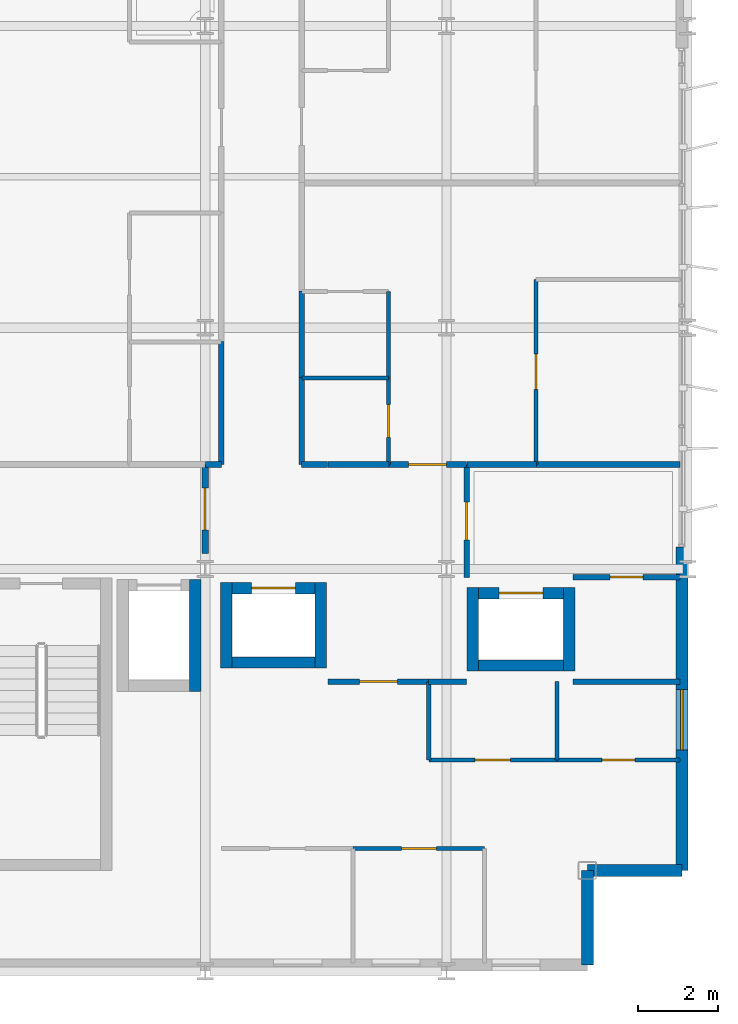
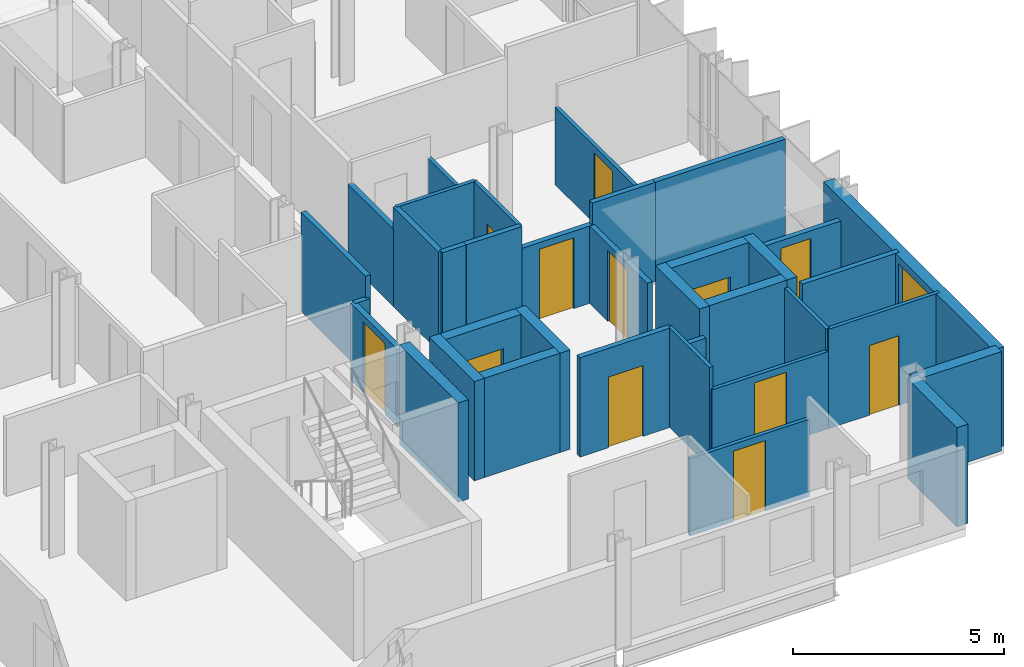
# One storey, part 31 of 39: 36 walls, 12 doors, 1 window, 13 openings.
"""IFC4 building model written with IfcOpenShell, lengths in metres."""

from ifc_helpers import new_model, si_unit, direction, frame, frame_2d, origin, place, context, subcontext, project, spatial, rectangle, extrude, material, layer, layer_set, type_object, element, fill, save


model = new_model("IFC4")

# Units and contexts
model_context = context("Model", 3, precision=1e-05, world=origin(), true_north=direction((0.0, 1.0)))
body_context = subcontext(model_context, "Body", "Model", "MODEL_VIEW")
ifc_project = project(units=[si_unit("LENGTHUNIT", "METRE"), si_unit("AREAUNIT", "SQUARE_METRE"), si_unit("VOLUMEUNIT", "CUBIC_METRE"), si_unit("PLANEANGLEUNIT", "RADIAN"), si_unit("MASSUNIT", "GRAM", prefix="KILO")], contexts=[model_context])

# Site, building, storey
site_placement = place(None, origin())
site = spatial("IfcSite", under=ifc_project, at=site_placement, CompositionType="ELEMENT")
building_placement = place(site_placement, origin())
building = spatial("IfcBuilding", under=site, at=building_placement, Name="Brevholm Reach", CompositionType="ELEMENT")
storey_placement = place(building_placement, frame((0.0, 0.0, 109.699951171875)))
storey = spatial("IfcBuildingStorey", under=building, at=storey_placement, Name="L32", CompositionType="ELEMENT", Elevation=109.699951171875)

# Walls
ifc_material_1 = material(Name="Concrete C50/60", Category="concrete")
ifc_layer_1 = layer(ifc_material_1, 0.280029296875)
ifc_layer_set_1 = layer_set([ifc_layer_1], Name="Concrete C50/60")
wall_type_1 = type_object("IfcWallType", Name="WAL-COR-280", PredefinedType="SHEAR", material=ifc_layer_set_1)
wall_1_placement = place(storey_placement, frame((47.75, 6.9599609375, 0.0), z_axis=(0.0, 0.0, 1.0), x_axis=(0.0, 1.0, 0.0)))
element("IfcWall", 1, at=wall_1_placement, inside=storey, type_object=wall_type_1, Name="L32 Lift FFL-2 Shaft Wall E", PredefinedType="SHEAR", context=body_context, shape_type="SweptSolid", body=[
    extrude(rectangle(XDim=2.780029296875, YDim=0.280029296875, at=frame_2d((1.39013671875, 0.0))), origin(), (0.0, 0.0, 1.0), 2.880126953125),
])
for number, where, z_axis, x_axis, name in (
    (2, (48.52490234375, 7.534912109375, 0.0), (0.0, 0.0, 1.0), (0.0, 1.0, 0.0), "L32 Lift PL-L1 Shaft Wall W"),
    (3, (50.875, 7.534912109375, 0.0), (0.0, 0.0, 1.0), (0.0, 1.0, 0.0), "L32 Lift PL-L1 Shaft Wall E"),
):
    element("IfcWall", number, at=place(storey_placement, frame(where, z_axis=z_axis, x_axis=x_axis)), inside=storey, type_object=wall_type_1, Name=name, PredefinedType="SHEAR", context=body_context, shape_type="SweptSolid", body=[
        extrude(rectangle(XDim=2.130126953125, YDim=0.280029296875, at=frame_2d((1.06494140625, 0.0))), origin(), (0.0, 0.0, 1.0), 2.880126953125),
    ])
wall_2_placement = place(storey_placement, frame((48.6650390625, 7.675048828125, 0.0), z_axis=(0.0, 0.0, 1.0), x_axis=(1.0, 0.0, 0.0)))
element("IfcWall", 4, at=wall_2_placement, inside=storey, type_object=wall_type_1, Name="L32 Lift PL-L1 Shaft Wall S", PredefinedType="SHEAR", context=body_context, shape_type="SweptSolid", body=[
    extrude(rectangle(XDim=2.070068359375, YDim=0.280029296875, at=frame_2d((1.03515625, 0.0))), origin(), (0.0, 0.0, 1.0), 2.880126953125),
])

# Wall, opening, door
wall_3_placement = place(storey_placement, frame((48.6650390625, 9.52490234375, 0.0), z_axis=(0.0, 0.0, 1.0), x_axis=(1.0, 0.0, 0.0)))
wall_3 = element("IfcWall", 5, at=wall_3_placement, inside=storey, type_object=wall_type_1, Name="L32 Lift PL-L1 Shaft Wall N", PredefinedType="SHEAR", context=body_context, shape_type="SweptSolid", body=[
    extrude(rectangle(XDim=2.070068359375, YDim=0.280029296875, at=frame_2d((1.03515625, 0.0))), origin(), (0.0, 0.0, 1.0), 2.880126953125),
])
opening_1_placement = place(wall_3_placement, frame((0.485107421875, 0.0, 0.0)))
opening_1 = element("IfcOpeningElement", 6, at=opening_1_placement, cuts=wall_3, Name="Opening LD-PL-L1", PredefinedType="OPENING", context=body_context, shape_type="SweptSolid", body=[
    extrude(rectangle(XDim=1.10009765625, YDim=2.06005859375, at=frame_2d((0.550048828125, 1.030029296875))), frame((0.0, 0.14990234375, 0.0), z_axis=(0.0, -1.0, 0.0), x_axis=(1.0, 0.0, 0.0)), (0.0, 0.0, 1.0), 0.300048828125),
])
ifc_material_2 = material(Name="Brushed Stainless Steel Fire-Rated Sliding Lift Door", Category="steel")
door_type_1 = type_object("IfcDoorType", Name="DOR-LFT-1100", OperationType="NOTDEFINED", PredefinedType="DOOR", material=ifc_material_2)
door_1_placement = place(opening_1_placement, origin())
door_1 = element("IfcDoor", 7, at=door_1_placement, inside=storey, type_object=door_type_1, Name="L32 Lift PL-L1 Sliding Landing Door", OperationType="SLIDING_TO_RIGHT", OverallHeight=2.06005859375, OverallWidth=1.10009765625, PredefinedType="DOOR", context=body_context, shape_type="SweptSolid", body=[
    extrude(rectangle(XDim=1.10009765625, YDim=2.06005859375, at=frame_2d((0.550048828125, 1.030029296875))), frame((0.0, 0.02490234375, 0.0), z_axis=(0.0, -1.0, 0.0), x_axis=(1.0, 0.0, 0.0)), (0.0, 0.0, 1.0), 0.050048828125),
])
fill(opening_1, door_1)

# Walls
for number, where, z_axis, x_axis, name in (
    (8, (54.64990234375, 7.4599609375, 0.0), (0.0, 0.0, 1.0), (0.0, 1.0, 0.0), "L32 Lift PL-L2 Shaft Wall W"),
    (9, (57.050048828125, 7.4599609375, 0.0), (0.0, 0.0, 1.0), (0.0, 1.0, 0.0), "L32 Lift PL-L2 Shaft Wall E"),
):
    element("IfcWall", number, at=place(storey_placement, frame(where, z_axis=z_axis, x_axis=x_axis)), inside=storey, type_object=wall_type_1, Name=name, PredefinedType="SHEAR", context=body_context, shape_type="SweptSolid", body=[
        extrude(rectangle(XDim=2.080078125, YDim=0.280029296875, at=frame_2d((1.0400390625, 0.0))), origin(), (0.0, 0.0, 1.0), 2.880126953125),
    ])
wall_4_placement = place(storey_placement, frame((54.7900390625, 7.60009765625, 0.0), z_axis=(0.0, 0.0, 1.0), x_axis=(1.0, 0.0, 0.0)))
element("IfcWall", 10, at=wall_4_placement, inside=storey, type_object=wall_type_1, Name="L32 Lift PL-L2 Shaft Wall S", PredefinedType="SHEAR", context=body_context, shape_type="SweptSolid", body=[
    extrude(rectangle(XDim=2.119873046875, YDim=0.280029296875, at=frame_2d((1.06005859375, 0.0))), origin(), (0.0, 0.0, 1.0), 2.880126953125),
])

# Wall, opening, door
wall_5_placement = place(storey_placement, frame((54.7900390625, 9.39990234375, 0.0), z_axis=(0.0, 0.0, 1.0), x_axis=(1.0, 0.0, 0.0)))
wall_5 = element("IfcWall", 11, at=wall_5_placement, inside=storey, type_object=wall_type_1, Name="L32 Lift PL-L2 Shaft Wall N", PredefinedType="SHEAR", context=body_context, shape_type="SweptSolid", body=[
    extrude(rectangle(XDim=2.119873046875, YDim=0.280029296875, at=frame_2d((1.06005859375, 0.0))), origin(), (0.0, 0.0, 1.0), 2.880126953125),
])
opening_2_placement = place(wall_5_placement, frame((0.510009765625, 0.0, 0.0)))
opening_2 = element("IfcOpeningElement", 12, at=opening_2_placement, cuts=wall_5, Name="Opening LD-PL-L2", PredefinedType="OPENING", context=body_context, shape_type="SweptSolid", body=[
    extrude(rectangle(XDim=1.10009765625, YDim=2.06005859375, at=frame_2d((0.550048828125, 1.030029296875))), frame((0.0, 0.14990234375, 0.0), z_axis=(0.0, -1.0, 0.0), x_axis=(1.0, 0.0, 0.0)), (0.0, 0.0, 1.0), 0.300048828125),
])
door_2_placement = place(opening_2_placement, origin())
door_2 = element("IfcDoor", 13, at=door_2_placement, inside=storey, type_object=door_type_1, Name="L32 Lift PL-L2 Sliding Landing Door", OperationType="SLIDING_TO_LEFT", OverallHeight=2.06005859375, OverallWidth=1.10009765625, PredefinedType="DOOR", context=body_context, shape_type="SweptSolid", body=[
    extrude(rectangle(XDim=1.10009765625, YDim=2.06005859375, at=frame_2d((0.550048828125, 1.030029296875))), frame((0.0, 0.02490234375, 0.0), z_axis=(0.0, -1.0, 0.0), x_axis=(1.0, 0.0, 0.0)), (0.0, 0.0, 1.0), 0.050048828125),
])
fill(opening_2, door_2)

# Walls
ifc_material_3 = material(Name="Concrete C40/50", Category="concrete")
ifc_layer_2 = layer(ifc_material_3, 0.300048828125)
ifc_layer_set_2 = layer_set([ifc_layer_2], Name="Concrete C40/50")
wall_type_2 = type_object("IfcWallType", Name="WAL-EXT-300", PredefinedType="STANDARD", material=ifc_layer_set_2)
for number, where, z_axis, x_axis, name in (
    (14, (57.5, 0.14990234375, 0.0), (0.0, 0.0, 1.0), (0.0, 1.0, 0.0), "L32 Facade Wall WAL-L32-CSE1"),
    (15, (57.5, 2.5, 0.0), (0.0, 0.0, 1.0), (1.0, 0.0, 0.0), "L32 Facade Wall WAL-L32-CSE2"),
):
    element("IfcWall", number, at=place(storey_placement, frame(where, z_axis=z_axis, x_axis=x_axis)), inside=storey, type_object=wall_type_2, Name=name, PredefinedType="STANDARD", context=body_context, shape_type="SweptSolid", body=[
        extrude(rectangle(XDim=2.35009765625, YDim=0.300048828125, at=frame_2d((1.175048828125, 0.0))), origin(), (0.0, 0.0, 1.0), 2.880126953125),
    ])

# Wall, opening, window
wall_6_placement = place(storey_placement, frame((59.85009765625, 2.5, 0.0), z_axis=(0.0, 0.0, 1.0), x_axis=(0.0, 1.0, 0.0)))
wall_6 = element("IfcWall", 16, at=wall_6_placement, inside=storey, type_object=wall_type_2, Name="L32 Facade Wall WAL-L32-E-S", PredefinedType="STANDARD", context=body_context, shape_type="SweptSolid", body=[
    extrude(rectangle(XDim=8.050048828125, YDim=0.300048828125, at=frame_2d((4.02490234375, 0.0))), origin(), (0.0, 0.0, 1.0), 2.880126953125),
])
opening_3_placement = place(wall_6_placement, frame((3.0, 0.0, 0.860107421875)))
opening_3 = element("IfcOpeningElement", 17, at=opening_3_placement, cuts=wall_6, Name="Opening WN-05", PredefinedType="OPENING", context=body_context, shape_type="SweptSolid", body=[
    extrude(rectangle(XDim=1.5, YDim=1.800048828125, at=frame_2d((0.75, 0.89990234375))), frame((0.0, 0.159912109375, 0.0), z_axis=(0.0, -1.0, 0.0), x_axis=(1.0, 0.0, 0.0)), (0.0, 0.0, 1.0), 0.320068359375),
])
ifc_material_4 = material(Name="Dark Anodised Aluminium and Solar-Control IGU Glass", Category="aluminium")
window_type = type_object("IfcWindowType", Name="WIN-RES-1500", PartitioningType="SINGLE_PANEL", PredefinedType="WINDOW", material=ifc_material_4)
window_placement = place(opening_3_placement, origin())
window = element("IfcWindow", 18, at=window_placement, inside=storey, type_object=window_type, Name="L32 Window WIN-L32-ES-1", OverallHeight=1.800048828125, OverallWidth=1.5, PartitioningType="SINGLE_PANEL", PredefinedType="WINDOW", context=body_context, shape_type="SweptSolid", body=[
    extrude(rectangle(XDim=1.5, YDim=1.800048828125, at=frame_2d((0.75, 0.89990234375))), frame((0.0, 0.030029296875, 0.0), z_axis=(0.0, -1.0, 0.0), x_axis=(1.0, 0.0, 0.0)), (0.0, 0.0, 1.0), 0.06005859375),
])
fill(opening_3, window)

# Wall
ifc_material_5 = material(Name="Moisture-Resistant Acoustic Gypsum Stud Partition 100 mm", Category="gypsum")
ifc_layer_3 = layer(ifc_material_5, 0.10009765625)
ifc_layer_set_3 = layer_set([ifc_layer_3], Name="Moisture-Resistant Acoustic Gypsum Stud Partition 100 mm")
wall_type_3 = type_object("IfcWallType", Name="WAL-PRT-100", PredefinedType="PARTITIONING", material=ifc_layer_set_3)
wall_7_placement = place(storey_placement, frame((56.75, 5.25, 0.0), z_axis=(0.0, 0.0, 1.0), x_axis=(0.0, 1.0, 0.0)))
element("IfcWall", 19, at=wall_7_placement, inside=storey, type_object=wall_type_3, Name="L32 Internal Partition 084", PredefinedType="PARTITIONING", context=body_context, shape_type="SweptSolid", body=[
    extrude(rectangle(XDim=1.949951171875, YDim=0.10009765625, at=frame_2d((0.97509765625, 0.0))), origin(), (0.0, 0.0, 1.0), 2.880126953125),
])

# Wall, opening, door
wall_8_placement = place(storey_placement, frame((56.75, 5.25, 0.0), z_axis=(0.0, 0.0, 1.0), x_axis=(1.0, 0.0, 0.0)))
wall_8 = element("IfcWall", 20, at=wall_8_placement, inside=storey, type_object=wall_type_3, Name="L32 Internal Partition 085", PredefinedType="PARTITIONING", context=body_context, shape_type="SweptSolid", body=[
    extrude(rectangle(XDim=3.050048828125, YDim=0.10009765625, at=frame_2d((1.52490234375, 0.0))), origin(), (0.0, 0.0, 1.0), 2.880126953125),
])
opening_4_placement = place(wall_8_placement, frame((1.114990234375, 0.0, 0.0)))
opening_4 = element("IfcOpeningElement", 21, at=opening_4_placement, cuts=wall_8, Name="Opening ID-03", PredefinedType="OPENING", context=body_context, shape_type="SweptSolid", body=[
    extrude(rectangle(XDim=0.820068359375, YDim=2.02001953125, at=frame_2d((0.41015625, 1.010009765625))), frame((0.0, 0.06005859375, 0.0), z_axis=(0.0, -1.0, 0.0), x_axis=(1.0, 0.0, 0.0)), (0.0, 0.0, 1.0), 0.1201171875),
])
ifc_material_6 = material(Name="Moisture-Resistant Painted Timber Internal Bathroom Door", Category="wood")
door_type_2 = type_object("IfcDoorType", Name="DOR-BATH-820", OperationType="NOTDEFINED", PredefinedType="DOOR", material=ifc_material_6)
door_3_placement = place(opening_4_placement, origin())
door_3 = element("IfcDoor", 22, at=door_3_placement, inside=storey, type_object=door_type_2, Name="L32 Internal Door 030", OperationType="SINGLE_SWING_RIGHT", OverallHeight=2.02001953125, OverallWidth=0.820068359375, PredefinedType="DOOR", context=body_context, shape_type="SweptSolid", body=[
    extrude(rectangle(XDim=0.820068359375, YDim=2.02001953125, at=frame_2d((0.41015625, 1.010009765625))), frame((0.0, 0.02490234375, 0.0), z_axis=(0.0, -1.0, 0.0), x_axis=(1.0, 0.0, 0.0)), (0.0, 0.0, 1.0), 0.050048828125),
])
fill(opening_4, door_3)

wall_9_placement = place(storey_placement, frame((53.55810546875, 5.25, 0.0), z_axis=(0.0, 0.0, 1.0), x_axis=(1.0, 0.0, 0.0)))
wall_9 = element("IfcWall", 23, at=wall_9_placement, inside=storey, type_object=wall_type_3, Name="L32 Internal Partition 086", PredefinedType="PARTITIONING", context=body_context, shape_type="SweptSolid", body=[
    extrude(rectangle(XDim=3.18798828125, YDim=0.10009765625, at=frame_2d((1.593994140625, 0.0))), origin(), (0.0, 0.0, 1.0), 2.242919921875),
])
opening_5_placement = place(wall_9_placement, frame((1.154052734375, 0.0, 0.0)))
opening_5 = element("IfcOpeningElement", 24, at=opening_5_placement, cuts=wall_9, Name="Opening ID-01", PredefinedType="OPENING", context=body_context, shape_type="SweptSolid", body=[
    extrude(rectangle(XDim=0.8798828125, YDim=2.0400390625, at=frame_2d((0.43994140625, 1.02001953125))), frame((0.0, 0.06005859375, 0.0), z_axis=(0.0, -1.0, 0.0), x_axis=(1.0, 0.0, 0.0)), (0.0, 0.0, 1.0), 0.1201171875),
])
ifc_material_7 = material(Name="Lacquered Ash Solid-Core Acoustic Internal Door", Category="timber")
door_type_3 = type_object("IfcDoorType", Name="DOR-INT-880", OperationType="NOTDEFINED", PredefinedType="DOOR", material=ifc_material_7)
door_4_placement = place(opening_5_placement, origin())
door_4 = element("IfcDoor", 25, at=door_4_placement, inside=storey, type_object=door_type_3, Name="L32 Internal Door 031", OperationType="SINGLE_SWING_LEFT", OverallHeight=2.0400390625, OverallWidth=0.8798828125, PredefinedType="DOOR", context=body_context, shape_type="SweptSolid", body=[
    extrude(rectangle(XDim=0.8798828125, YDim=2.0400390625, at=frame_2d((0.43994140625, 1.02001953125))), frame((0.0, 0.02490234375, 0.0), z_axis=(0.0, -1.0, 0.0), x_axis=(1.0, 0.0, 0.0)), (0.0, 0.0, 1.0), 0.050048828125),
])
fill(opening_5, door_4)

# Wall
wall_10_placement = place(storey_placement, frame((53.55810546875, 5.25, 0.0), z_axis=(0.0, 0.0, 1.0), x_axis=(0.0, 1.0, 0.0)))
element("IfcWall", 26, at=wall_10_placement, inside=storey, type_object=wall_type_3, Name="L32 Internal Partition 087", PredefinedType="PARTITIONING", context=body_context, shape_type="SweptSolid", body=[
    extrude(rectangle(XDim=1.946044921875, YDim=0.10009765625, at=frame_2d((0.97314453125, 0.0))), origin(), (0.0, 0.0, 1.0), 2.880126953125),
])

# Wall, opening, door
wall_11_placement = place(storey_placement, frame((51.678955078125, 3.050048828125, 0.0), z_axis=(0.0, 0.0, 1.0), x_axis=(1.0, 0.0, 0.0)))
wall_11 = element("IfcWall", 27, at=wall_11_placement, inside=storey, type_object=wall_type_3, Name="L32 Internal Partition 091", PredefinedType="PARTITIONING", context=body_context, shape_type="SweptSolid", body=[
    extrude(rectangle(XDim=3.27099609375, YDim=0.10009765625, at=frame_2d((1.635498046875, 0.0))), origin(), (0.0, 0.0, 1.0), 2.242919921875),
])
opening_6_placement = place(wall_11_placement, frame((1.195556640625, 0.0, 0.0)))
opening_6 = element("IfcOpeningElement", 28, at=opening_6_placement, cuts=wall_11, Name="Opening ID-01", PredefinedType="OPENING", context=body_context, shape_type="SweptSolid", body=[
    extrude(rectangle(XDim=0.8798828125, YDim=2.0400390625, at=frame_2d((0.43994140625, 1.02001953125))), frame((0.0, 0.06005859375, 0.0), z_axis=(0.0, -1.0, 0.0), x_axis=(1.0, 0.0, 0.0)), (0.0, 0.0, 1.0), 0.1201171875),
])
door_5_placement = place(opening_6_placement, origin())
door_5 = element("IfcDoor", 29, at=door_5_placement, inside=storey, type_object=door_type_3, Name="L32 Internal Door 033", OperationType="SINGLE_SWING_LEFT", OverallHeight=2.0400390625, OverallWidth=0.8798828125, PredefinedType="DOOR", context=body_context, shape_type="SweptSolid", body=[
    extrude(rectangle(XDim=0.8798828125, YDim=2.0400390625, at=frame_2d((0.43994140625, 1.02001953125))), frame((0.0, 0.02490234375, 0.0), z_axis=(0.0, -1.0, 0.0), x_axis=(1.0, 0.0, 0.0)), (0.0, 0.0, 1.0), 0.050048828125),
])
fill(opening_6, door_5)

# Wall
wall_12_placement = place(storey_placement, frame((50.404052734375, 14.75, 0.0), z_axis=(0.0, 0.0, 1.0), x_axis=(1.0, 0.0, 0.0)))
element("IfcWall", 30, at=wall_12_placement, inside=storey, type_object=wall_type_3, Name="L32 Internal Partition 137", PredefinedType="PARTITIONING", context=body_context, shape_type="SweptSolid", body=[
    extrude(rectangle(XDim=2.157958984375, YDim=0.10009765625, at=frame_2d((1.0791015625, 0.0))), origin(), (0.0, 0.0, 1.0), 2.880126953125),
])

# Wall, opening, door
wall_13_placement = place(storey_placement, frame((52.56201171875, 12.60400390625, 0.0), z_axis=(0.0, 0.0, 1.0), x_axis=(0.0, 1.0, 0.0)))
wall_13 = element("IfcWall", 31, at=wall_13_placement, inside=storey, type_object=wall_type_3, Name="L32 Internal Partition 138", PredefinedType="PARTITIONING", context=body_context, shape_type="SweptSolid", body=[
    extrude(rectangle(XDim=2.14599609375, YDim=0.10009765625, at=frame_2d((1.072998046875, 0.0))), origin(), (0.0, 0.0, 1.0), 2.880126953125),
])
opening_7_placement = place(wall_13_placement, frame((0.6630859375, 0.0, 0.0)))
opening_7 = element("IfcOpeningElement", 32, at=opening_7_placement, cuts=wall_13, Name="Opening ID-03", PredefinedType="OPENING", context=body_context, shape_type="SweptSolid", body=[
    extrude(rectangle(XDim=0.820068359375, YDim=2.02001953125, at=frame_2d((0.41015625, 1.010009765625))), frame((0.0, 0.06005859375, 0.0), z_axis=(0.0, -1.0, 0.0), x_axis=(1.0, 0.0, 0.0)), (0.0, 0.0, 1.0), 0.1201171875),
])
door_6_placement = place(opening_7_placement, origin())
door_6 = element("IfcDoor", 33, at=door_6_placement, inside=storey, type_object=door_type_2, Name="L32 Internal Door 052", OperationType="SINGLE_SWING_RIGHT", OverallHeight=2.02001953125, OverallWidth=0.820068359375, PredefinedType="DOOR", context=body_context, shape_type="SweptSolid", body=[
    extrude(rectangle(XDim=0.820068359375, YDim=2.02001953125, at=frame_2d((0.41015625, 1.010009765625))), frame((0.0, 0.02490234375, 0.0), z_axis=(0.0, -1.0, 0.0), x_axis=(1.0, 0.0, 0.0)), (0.0, 0.0, 1.0), 0.050048828125),
])
fill(opening_7, door_6)

# Wall
wall_14_placement = place(storey_placement, frame((52.56201171875, 14.75390625, 0.0), z_axis=(0.0, 0.0, 1.0), x_axis=(0.0, 1.0, 0.0)))
element("IfcWall", 34, at=wall_14_placement, inside=storey, type_object=wall_type_3, Name="L32 Internal Partition 139", PredefinedType="PARTITIONING", context=body_context, shape_type="SweptSolid", body=[
    extrude(rectangle(XDim=2.14599609375, YDim=0.10009765625, at=frame_2d((1.072998046875, 0.0))), origin(), (0.0, 0.0, 1.0), 2.242919921875),
])

# Wall, opening, door
wall_15_placement = place(storey_placement, frame((56.22802734375, 12.60400390625, 0.0), z_axis=(0.0, 0.0, 1.0), x_axis=(0.0, 1.0, 0.0)))
wall_15 = element("IfcWall", 35, at=wall_15_placement, inside=storey, type_object=wall_type_3, Name="L32 Internal Partition 142", PredefinedType="PARTITIONING", context=body_context, shape_type="SweptSolid", body=[
    extrude(rectangle(XDim=4.595947265625, YDim=0.10009765625, at=frame_2d((2.2978515625, 0.0))), origin(), (0.0, 0.0, 1.0), 2.242919921875),
])
opening_8_placement = place(wall_15_placement, frame((1.85791015625, 0.0, 0.0)))
opening_8 = element("IfcOpeningElement", 36, at=opening_8_placement, cuts=wall_15, Name="Opening ID-01", PredefinedType="OPENING", context=body_context, shape_type="SweptSolid", body=[
    extrude(rectangle(XDim=0.8798828125, YDim=2.0400390625, at=frame_2d((0.43994140625, 1.02001953125))), frame((0.0, 0.06005859375, 0.0), z_axis=(0.0, -1.0, 0.0), x_axis=(1.0, 0.0, 0.0)), (0.0, 0.0, 1.0), 0.1201171875),
])
door_7_placement = place(opening_8_placement, origin())
door_7 = element("IfcDoor", 37, at=door_7_placement, inside=storey, type_object=door_type_3, Name="L32 Internal Door 054", OperationType="SINGLE_SWING_RIGHT", OverallHeight=2.0400390625, OverallWidth=0.8798828125, PredefinedType="DOOR", context=body_context, shape_type="SweptSolid", body=[
    extrude(rectangle(XDim=0.8798828125, YDim=2.0400390625, at=frame_2d((0.43994140625, 1.02001953125))), frame((0.0, 0.02490234375, 0.0), z_axis=(0.0, -1.0, 0.0), x_axis=(1.0, 0.0, 0.0)), (0.0, 0.0, 1.0), 0.050048828125),
])
fill(opening_8, door_7)

ifc_material_8 = material(Name="Twin-Stud Acoustic Fire-Rated Gypsum Partition 140 mm", Category="gypsum")
ifc_layer_4 = layer(ifc_material_8, 0.139892578125)
ifc_layer_set_4 = layer_set([ifc_layer_4], Name="Twin-Stud Acoustic Fire-Rated Gypsum Partition 140 mm")
wall_type_4 = type_object("IfcWallType", Name="WAL-PRT-140", PredefinedType="PARTITIONING", material=ifc_layer_set_4)
wall_16_placement = place(storey_placement, frame((54.5, 9.788818359375, 0.0), z_axis=(0.0, 0.0, 1.0), x_axis=(0.0, 1.0, 0.0)))
wall_16 = element("IfcWall", 38, at=wall_16_placement, inside=storey, type_object=wall_type_4, Name="L32 Internal Partition 013", PredefinedType="PARTITIONING", context=body_context, shape_type="SweptSolid", body=[
    extrude(rectangle(XDim=2.811279296875, YDim=0.139892578125, at=frame_2d((1.40576171875, 0.0))), origin(), (0.0, 0.0, 1.0), 2.242919921875),
])
opening_9_placement = place(wall_16_placement, frame((0.9306640625, 0.0, 0.0)))
opening_9 = element("IfcOpeningElement", 39, at=opening_9_placement, cuts=wall_16, Name="Opening ID-30", PredefinedType="OPENING", context=body_context, shape_type="SweptSolid", body=[
    extrude(rectangle(XDim=0.949951171875, YDim=2.050048828125, at=frame_2d((0.47509765625, 1.02490234375))), frame((0.0, 0.079833984375, 0.0), z_axis=(0.0, -1.0, 0.0), x_axis=(1.0, 0.0, 0.0)), (0.0, 0.0, 1.0), 0.159912109375),
])
ifc_material_9 = material(Name="European Oak Veneered Solid-Core Fire Entrance Door", Category="timber")
door_type_4 = type_object("IfcDoorType", Name="DOR-FLT-FD30S", OperationType="NOTDEFINED", PredefinedType="DOOR", material=ifc_material_9)
door_8_placement = place(opening_9_placement, origin())
door_8 = element("IfcDoor", 40, at=door_8_placement, inside=storey, type_object=door_type_4, Name="L32 Internal Door 008", OperationType="SINGLE_SWING_RIGHT", OverallHeight=2.050048828125, OverallWidth=0.949951171875, PredefinedType="DOOR", context=body_context, shape_type="SweptSolid", body=[
    extrude(rectangle(XDim=0.949951171875, YDim=2.050048828125, at=frame_2d((0.47509765625, 1.02490234375))), frame((0.0, 0.02490234375, 0.0), z_axis=(0.0, -1.0, 0.0), x_axis=(1.0, 0.0, 0.0)), (0.0, 0.0, 1.0), 0.050048828125),
])
fill(opening_9, door_8)

# Wall
wall_17_placement = place(storey_placement, frame((53.546630859375, 7.199951171875, 0.0), z_axis=(0.0, 0.0, 1.0), x_axis=(1.0, 0.0, 0.0)))
element("IfcWall", 41, at=wall_17_placement, inside=storey, type_object=wall_type_4, Name="L32 Internal Partition 014", PredefinedType="PARTITIONING", context=body_context, shape_type="SweptSolid", body=[
    extrude(rectangle(XDim=0.953369140625, YDim=0.139892578125, at=frame_2d((0.4765625, 0.0))), origin(), (0.0, 0.0, 1.0), 2.242919921875),
])

# Wall, opening, door
wall_18_placement = place(storey_placement, frame((51.050048828125, 7.199951171875, 0.0), z_axis=(0.0, 0.0, 1.0), x_axis=(1.0, 0.0, 0.0)))
wall_18 = element("IfcWall", 42, at=wall_18_placement, inside=storey, type_object=wall_type_4, Name="L32 Internal Partition 015", PredefinedType="PARTITIONING", context=body_context, shape_type="SweptSolid", body=[
    extrude(rectangle(XDim=2.51513671875, YDim=0.139892578125, at=frame_2d((1.257568359375, 0.0))), origin(), (0.0, 0.0, 1.0), 2.880126953125),
])
opening_10_placement = place(wall_18_placement, frame((0.78271484375, 0.0, 0.0)))
opening_10 = element("IfcOpeningElement", 43, at=opening_10_placement, cuts=wall_18, Name="Opening ID-30", PredefinedType="OPENING", context=body_context, shape_type="SweptSolid", body=[
    extrude(rectangle(XDim=0.949951171875, YDim=2.050048828125, at=frame_2d((0.47509765625, 1.02490234375))), frame((0.0, 0.079833984375, 0.0), z_axis=(0.0, -1.0, 0.0), x_axis=(1.0, 0.0, 0.0)), (0.0, 0.0, 1.0), 0.159912109375),
])
door_9_placement = place(opening_10_placement, origin())
door_9 = element("IfcDoor", 44, at=door_9_placement, inside=storey, type_object=door_type_4, Name="L32 Internal Door 009", OperationType="SINGLE_SWING_LEFT", OverallHeight=2.050048828125, OverallWidth=0.949951171875, PredefinedType="DOOR", context=body_context, shape_type="SweptSolid", body=[
    extrude(rectangle(XDim=0.949951171875, YDim=2.050048828125, at=frame_2d((0.47509765625, 1.02490234375))), frame((0.0, 0.02490234375, 0.0), z_axis=(0.0, -1.0, 0.0), x_axis=(1.0, 0.0, 0.0)), (0.0, 0.0, 1.0), 0.050048828125),
])
fill(opening_10, door_9)

# Wall
wall_19_placement = place(storey_placement, frame((51.050048828125, 12.60009765625, 0.0), z_axis=(0.0, 0.0, 1.0), x_axis=(1.0, 0.0, 0.0)))
element("IfcWall", 45, at=wall_19_placement, inside=storey, type_object=wall_type_4, Name="L32 Internal Partition 016", PredefinedType="PARTITIONING", context=body_context, shape_type="SweptSolid", body=[
    extrude(rectangle(XDim=1.523193359375, YDim=0.139892578125, at=frame_2d((0.76171875, 0.0))), origin(), (0.0, 0.0, 1.0), 2.880126953125),
])

# Wall, opening, door
wall_20_placement = place(storey_placement, frame((52.5546875, 12.60009765625, 0.0), z_axis=(0.0, 0.0, 1.0), x_axis=(1.0, 0.0, 0.0)))
wall_20 = element("IfcWall", 46, at=wall_20_placement, inside=storey, type_object=wall_type_4, Name="L32 Internal Partition 017", PredefinedType="PARTITIONING", context=body_context, shape_type="SweptSolid", body=[
    extrude(rectangle(XDim=1.9453125, YDim=0.139892578125, at=frame_2d((0.97265625, 0.0))), origin(), (0.0, 0.0, 1.0), 2.242919921875),
])
opening_11_placement = place(wall_20_placement, frame((0.497802734375, 0.0, 0.0)))
opening_11 = element("IfcOpeningElement", 47, at=opening_11_placement, cuts=wall_20, Name="Opening ID-30", PredefinedType="OPENING", context=body_context, shape_type="SweptSolid", body=[
    extrude(rectangle(XDim=0.949951171875, YDim=2.050048828125, at=frame_2d((0.47509765625, 1.02490234375))), frame((0.0, 0.079833984375, 0.0), z_axis=(0.0, -1.0, 0.0), x_axis=(1.0, 0.0, 0.0)), (0.0, 0.0, 1.0), 0.159912109375),
])
door_10_placement = place(opening_11_placement, origin())
door_10 = element("IfcDoor", 48, at=door_10_placement, inside=storey, type_object=door_type_4, Name="L32 Internal Door 010", OperationType="SINGLE_SWING_RIGHT", OverallHeight=2.050048828125, OverallWidth=0.949951171875, PredefinedType="DOOR", context=body_context, shape_type="SweptSolid", body=[
    extrude(rectangle(XDim=0.949951171875, YDim=2.050048828125, at=frame_2d((0.47509765625, 1.02490234375))), frame((0.0, 0.02490234375, 0.0), z_axis=(0.0, -1.0, 0.0), x_axis=(1.0, 0.0, 0.0)), (0.0, 0.0, 1.0), 0.050048828125),
])
fill(opening_11, door_10)

# Walls
wall_21_placement = place(storey_placement, frame((48.00390625, 12.60009765625, 0.0), z_axis=(0.0, 0.0, 1.0), x_axis=(1.0, 0.0, 0.0)))
element("IfcWall", 49, at=wall_21_placement, inside=storey, type_object=wall_type_4, Name="L32 Internal Partition 036", PredefinedType="PARTITIONING", context=body_context, shape_type="SweptSolid", body=[
    extrude(rectangle(XDim=0.4033203125, YDim=0.139892578125, at=frame_2d((0.20166015625, 0.0))), origin(), (0.0, 0.0, 1.0), 2.242919921875),
])
wall_22_placement = place(storey_placement, frame((50.392578125, 12.60009765625, 0.0), z_axis=(0.0, 0.0, 1.0), x_axis=(1.0, 0.0, 0.0)))
element("IfcWall", 50, at=wall_22_placement, inside=storey, type_object=wall_type_4, Name="L32 Internal Partition 037", PredefinedType="PARTITIONING", context=body_context, shape_type="SweptSolid", body=[
    extrude(rectangle(XDim=0.6533203125, YDim=0.139892578125, at=frame_2d((0.32666015625, 0.0))), origin(), (0.0, 0.0, 1.0), 2.880126953125),
])
wall_23_placement = place(storey_placement, frame((48.39990234375, 12.60400390625, 0.0), z_axis=(0.0, 0.0, 1.0), x_axis=(0.0, 1.0, 0.0)))
element("IfcWall", 51, at=wall_23_placement, inside=storey, type_object=wall_type_4, Name="L32 Internal Partition 051", PredefinedType="PARTITIONING", context=body_context, shape_type="SweptSolid", body=[
    extrude(rectangle(XDim=3.057373046875, YDim=0.139892578125, at=frame_2d((1.52880859375, 0.0))), origin(), (0.0, 0.0, 1.0), 2.880126953125),
])
wall_24_placement = place(storey_placement, frame((50.39990234375, 12.60400390625, 0.0), z_axis=(0.0, 0.0, 1.0), x_axis=(0.0, 1.0, 0.0)))
element("IfcWall", 52, at=wall_24_placement, inside=storey, type_object=wall_type_4, Name="L32 Internal Partition 055", PredefinedType="PARTITIONING", context=body_context, shape_type="SweptSolid", body=[
    extrude(rectangle(XDim=2.1572265625, YDim=0.139892578125, at=frame_2d((1.07861328125, 0.0))), origin(), (0.0, 0.0, 1.0), 2.880126953125),
])
wall_25_placement = place(storey_placement, frame((50.39990234375, 14.74267578125, 0.0), z_axis=(0.0, 0.0, 1.0), x_axis=(0.0, 1.0, 0.0)))
element("IfcWall", 53, at=wall_25_placement, inside=storey, type_object=wall_type_4, Name="L32 Internal Partition 056", PredefinedType="PARTITIONING", context=body_context, shape_type="SweptSolid", body=[
    extrude(rectangle(XDim=2.168701171875, YDim=0.139892578125, at=frame_2d((1.08447265625, 0.0))), origin(), (0.0, 0.0, 1.0), 2.242919921875),
])

# Wall, opening, door
wall_26_placement = place(storey_placement, frame((57.138671875, 9.800048828125, 0.0), z_axis=(0.0, 0.0, 1.0), x_axis=(1.0, 0.0, 0.0)))
wall_26 = element("IfcWall", 54, at=wall_26_placement, inside=storey, type_object=wall_type_4, Name="L32 Internal Partition 080", PredefinedType="PARTITIONING", context=body_context, shape_type="SweptSolid", body=[
    extrude(rectangle(XDim=2.661376953125, YDim=0.139892578125, at=frame_2d((1.33056640625, 0.0))), origin(), (0.0, 0.0, 1.0), 2.242919921875),
])
opening_12_placement = place(wall_26_placement, frame((0.920654296875, 0.0, 0.0)))
opening_12 = element("IfcOpeningElement", 55, at=opening_12_placement, cuts=wall_26, Name="Opening ID-02", PredefinedType="OPENING", context=body_context, shape_type="SweptSolid", body=[
    extrude(rectangle(XDim=0.820068359375, YDim=2.02001953125, at=frame_2d((0.41015625, 1.010009765625))), frame((0.0, 0.079833984375, 0.0), z_axis=(0.0, -1.0, 0.0), x_axis=(1.0, 0.0, 0.0)), (0.0, 0.0, 1.0), 0.159912109375),
])
ifc_material_10 = material(Name="Moisture-Resistant Painted Timber Fire-Rated Riser and Service Door", Category="wood")
door_type_5 = type_object("IfcDoorType", Name="DOR-SRV-820", OperationType="NOTDEFINED", PredefinedType="DOOR", material=ifc_material_10)
door_11_placement = place(opening_12_placement, origin())
door_11 = element("IfcDoor", 56, at=door_11_placement, inside=storey, type_object=door_type_5, Name="L32 Access Door 062", OperationType="SINGLE_SWING_RIGHT", OverallHeight=2.02001953125, OverallWidth=0.820068359375, PredefinedType="DOOR", context=body_context, shape_type="SweptSolid", body=[
    extrude(rectangle(XDim=0.820068359375, YDim=2.02001953125, at=frame_2d((0.41015625, 1.010009765625))), frame((0.0, 0.02490234375, 0.0), z_axis=(0.0, -1.0, 0.0), x_axis=(1.0, 0.0, 0.0)), (0.0, 0.0, 1.0), 0.050048828125),
])
fill(opening_12, door_11)

# Walls
wall_27_placement = place(storey_placement, frame((56.216796875, 12.60009765625, 0.0), z_axis=(0.0, 0.0, 1.0), x_axis=(1.0, 0.0, 0.0)))
element("IfcWall", 57, at=wall_27_placement, inside=storey, type_object=wall_type_4, Name="L32 Internal Partition 081", PredefinedType="PARTITIONING", context=body_context, shape_type="SweptSolid", body=[
    extrude(rectangle(XDim=3.583251953125, YDim=0.139892578125, at=frame_2d((1.79150390625, 0.0))), origin(), (0.0, 0.0, 1.0), 2.880126953125),
])
wall_28_placement = place(storey_placement, frame((54.50390625, 12.60009765625, 0.0), z_axis=(0.0, 0.0, 1.0), x_axis=(1.0, 0.0, 0.0)))
element("IfcWall", 58, at=wall_28_placement, inside=storey, type_object=wall_type_4, Name="L32 Internal Partition 082", PredefinedType="PARTITIONING", context=body_context, shape_type="SweptSolid", body=[
    extrude(rectangle(XDim=1.7314453125, YDim=0.139892578125, at=frame_2d((0.86572265625, 0.0))), origin(), (0.0, 0.0, 1.0), 2.880126953125),
])
wall_29_placement = place(storey_placement, frame((57.14990234375, 7.199951171875, 0.0), z_axis=(0.0, 0.0, 1.0), x_axis=(1.0, 0.0, 0.0)))
element("IfcWall", 59, at=wall_29_placement, inside=storey, type_object=wall_type_4, Name="L32 Internal Partition 083", PredefinedType="PARTITIONING", context=body_context, shape_type="SweptSolid", body=[
    extrude(rectangle(XDim=2.650146484375, YDim=0.139892578125, at=frame_2d((1.3251953125, 0.0))), origin(), (0.0, 0.0, 1.0), 2.880126953125),
])

# Wall, opening, door
ifc_material_11 = material(Name="Twin-Frame Fire-Rated Gypsum Board and Mineral Wool 160 mm", Category="gypsum")
ifc_layer_5 = layer(ifc_material_11, 0.159912109375)
ifc_layer_set_5 = layer_set([ifc_layer_5], Name="Twin-Frame Fire-Rated Gypsum Board and Mineral Wool 160 mm")
wall_type_5 = type_object("IfcWallType", Name="WAL-PRT-160", PredefinedType="PARTITIONING", material=ifc_layer_set_5)
wall_30_placement = place(storey_placement, frame((48.0, 10.388671875, 0.0), z_axis=(0.0, 0.0, 1.0), x_axis=(0.0, 1.0, 0.0)))
wall_30 = element("IfcWall", 60, at=wall_30_placement, inside=storey, type_object=wall_type_5, Name="L32 Internal Partition 025", PredefinedType="PARTITIONING", context=body_context, shape_type="SweptSolid", body=[
    extrude(rectangle(XDim=2.21142578125, YDim=0.159912109375, at=frame_2d((1.105712890625, 0.0))), origin(), (0.0, 0.0, 1.0), 2.242919921875),
])
opening_13_placement = place(wall_30_placement, frame((0.58056640625, 0.0, 0.0)))
opening_13 = element("IfcOpeningElement", 61, at=opening_13_placement, cuts=wall_30, Name="Opening FD-01", PredefinedType="OPENING", context=body_context, shape_type="SweptSolid", body=[
    extrude(rectangle(XDim=1.050048828125, YDim=2.06005859375, at=frame_2d((0.52490234375, 1.030029296875))), frame((0.0, 0.08984375, 0.0), z_axis=(0.0, -1.0, 0.0), x_axis=(1.0, 0.0, 0.0)), (0.0, 0.0, 1.0), 0.179931640625),
])
ifc_material_12 = material(Name="Hardwood-Lipped Steel-Core Fire and Smoke Door", Category="steel")
door_type_6 = type_object("IfcDoorType", Name="DOR-INT-FD60S", OperationType="NOTDEFINED", PredefinedType="DOOR", material=ifc_material_12)
door_12_placement = place(opening_13_placement, origin())
door_12 = element("IfcDoor", 62, at=door_12_placement, inside=storey, type_object=door_type_6, Name="L32 Internal Door 014", OperationType="SINGLE_SWING_RIGHT", OverallHeight=2.06005859375, OverallWidth=1.050048828125, PredefinedType="DOOR", context=body_context, shape_type="SweptSolid", body=[
    extrude(rectangle(XDim=1.050048828125, YDim=2.06005859375, at=frame_2d((0.52490234375, 1.030029296875))), frame((0.0, 0.02490234375, 0.0), z_axis=(0.0, -1.0, 0.0), x_axis=(1.0, 0.0, 0.0)), (0.0, 0.0, 1.0), 0.050048828125),
])
fill(opening_13, door_12)

save(model, "model.ifc")
